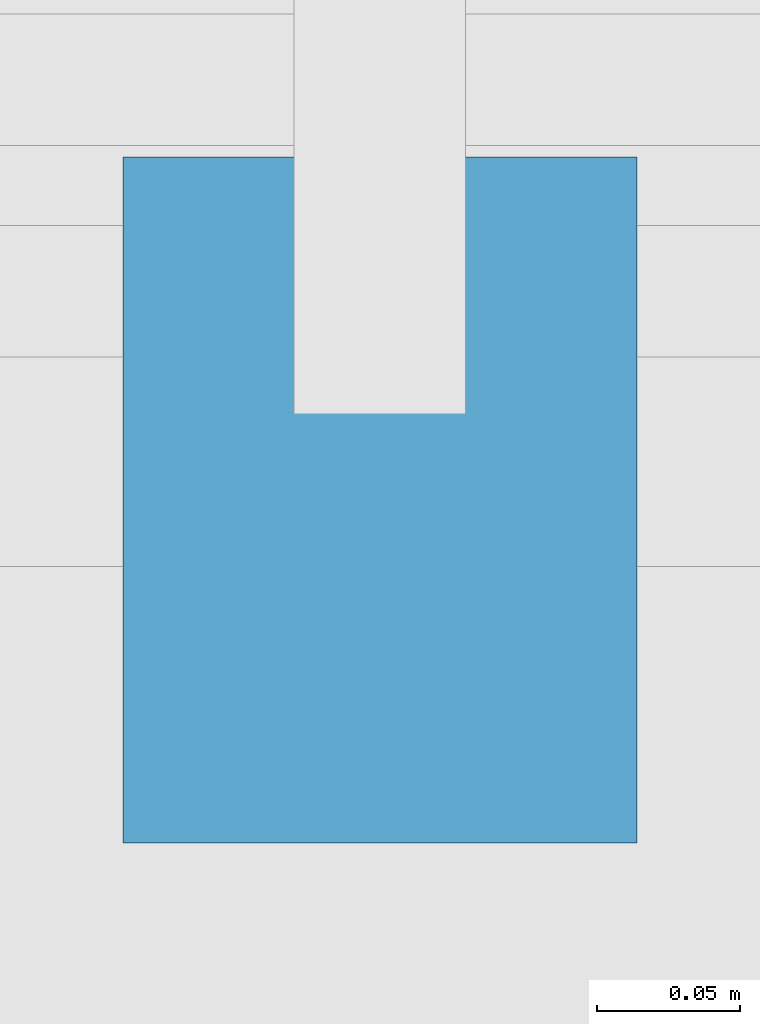
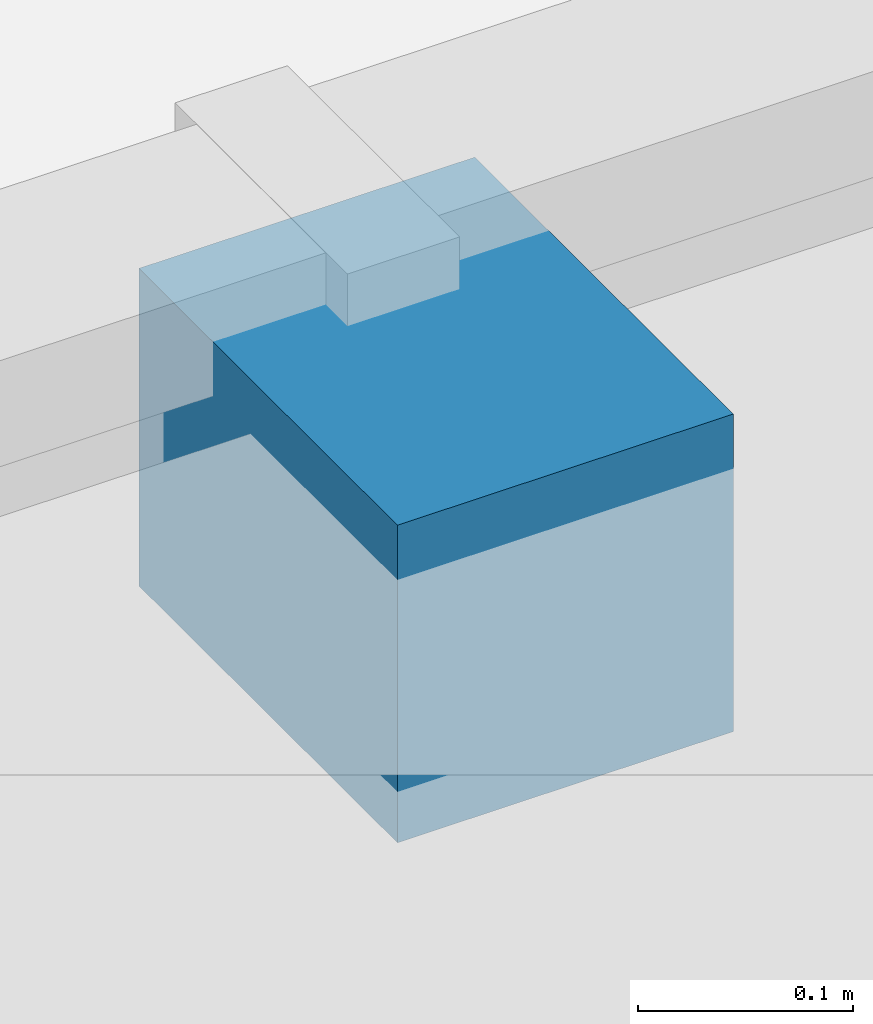
# One storey, part 80 of 111: 1 discrete accessory.
"""IFC4 building model written with IfcOpenShell, lengths in metres."""

from ifc_helpers import new_model, si_unit, direction, frame, origin, origin_2d, place, context, subcontext, project, spatial, rectangle, extrude, material, type_object, element, save


model = new_model("IFC4")

# Units and contexts
model_context = context("Model", 3, precision=1e-05, world=origin(), true_north=direction((0.0, 1.0)))
body_context = subcontext(model_context, "Body", "Model", "MODEL_VIEW")
ifc_project = project(units=[si_unit("LENGTHUNIT", "METRE"), si_unit("AREAUNIT", "SQUARE_METRE"), si_unit("VOLUMEUNIT", "CUBIC_METRE"), si_unit("PLANEANGLEUNIT", "RADIAN"), si_unit("MASSUNIT", "GRAM", prefix="KILO")], contexts=[model_context])

# Site, building, storey
site_placement = place(None, origin())
site = spatial("IfcSite", under=ifc_project, at=site_placement, CompositionType="ELEMENT")
building_placement = place(site_placement, origin())
building = spatial("IfcBuilding", under=site, at=building_placement, Name="Kisiwana Market Hall", CompositionType="ELEMENT")
storey_placement = place(building_placement, frame((0.0, 0.0, 11.39990234375)))
storey = spatial("IfcBuildingStorey", under=building, at=storey_placement, Name="L02", CompositionType="ELEMENT", Elevation=11.39990234375)

# Discrete accessory
ifc_material = material(Name="Steel S355", Category="steel")
discrete_accessory_type = type_object("IfcDiscreteAccessoryType", Name="ACC-BRACKET-STL", PredefinedType="BRACKET", material=ifc_material)
discrete_accessory_placement = place(storey_placement, frame((144.0, 83.889892578125, 4.93994140625), z_axis=(0.0, 0.0, 1.0), x_axis=(1.0, 0.0, 0.0)))
element("IfcDiscreteAccessory", 1, at=discrete_accessory_placement, inside=storey, type_object=discrete_accessory_type, Name="Sunshade steel bracket BRK-050", PredefinedType="BRACKET", context=body_context, shape_type="SweptSolid", body=[
    extrude(rectangle(XDim=0.179931640625, YDim=0.239990234375, at=origin_2d()), origin(), (0.0, 0.0, 1.0), 0.179931640625),
])

save(model, "model.ifc")
